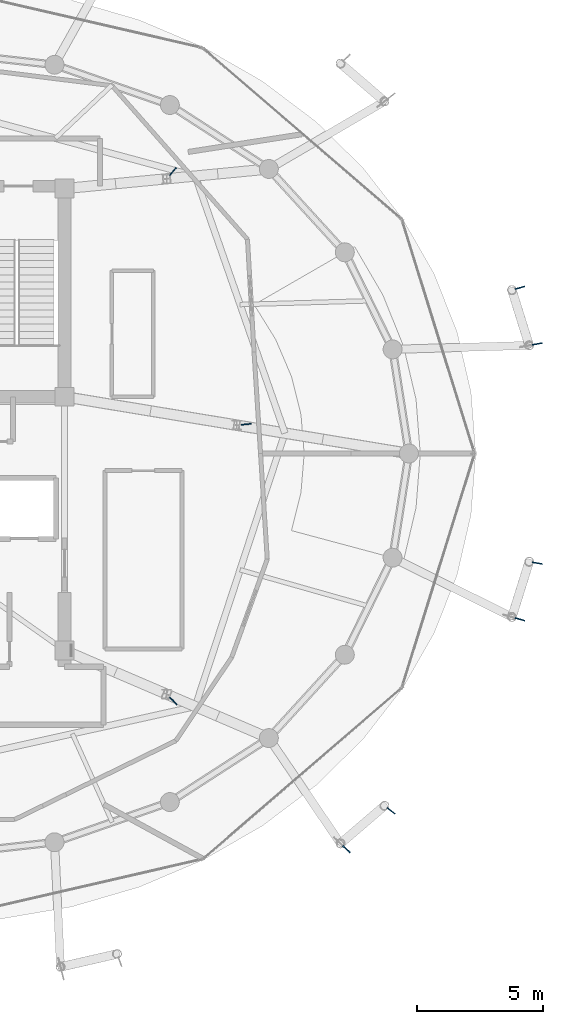
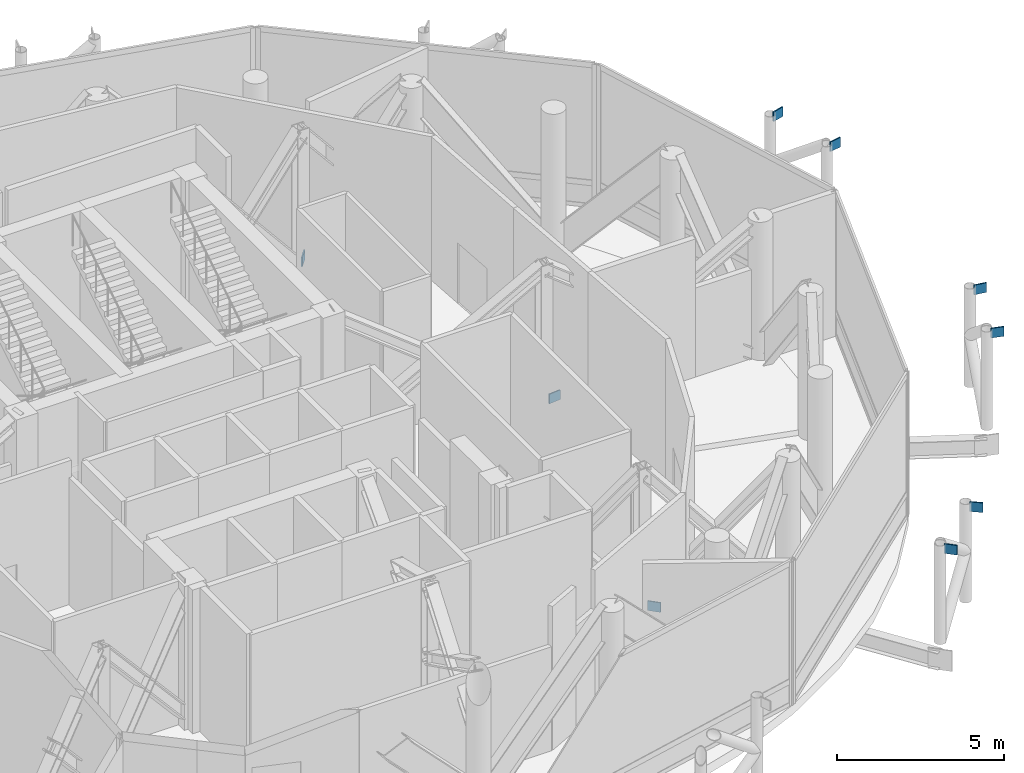
# One storey, part 23 of 26: 9 discrete accessories.
"""IFC4 building model written with IfcOpenShell, lengths in metres."""

import ifcopenshell
import ifcopenshell.guid

model = None  # the IFC model being written
_history = None  # IfcOwnerHistory: only IFC2X3 demands one
_inside = {}  # id of a spatial element -> (the spatial element, [elements in it])
_under = {}  # id of a project, library or spatial element -> (it, [spatial elements below it])
_declared = {}  # id of a project -> (the project, [libraries it declares])
_typed = {}  # id of a type object -> (the type object, [elements of that type])
_made_of = {}  # id of a material, layer set ... -> (it, [elements and type objects made of it])


def new_model(schema):
    """Start an empty IFC model of exactly this schema.

    Asked for "IFC4X3", IfcOpenShell would pick the latest addendum, in which some entities
    have other attributes; the version numbers below select the first issue.
    IFC2X3 requires an IfcOwnerHistory on every rooted entity: one is made here for all.
    """
    global model, _history
    if schema == "IFC4X3":
        model = ifcopenshell.file(schema_version=(4, 3, 0, 0))
    else:
        model = ifcopenshell.file(schema=schema)
    _inside.clear()
    _under.clear()
    _declared.clear()
    _typed.clear()
    _made_of.clear()
    _history = None
    if model.schema == "IFC2X3":
        org = make("IfcOrganization", Name="unknown")
        user = make(
            "IfcPersonAndOrganization",
            ThePerson=make("IfcPerson", FamilyName="unknown"),
            TheOrganization=org,
        )
        app = make(
            "IfcApplication",
            ApplicationDeveloper=org,
            Version="unknown",
            ApplicationFullName="unknown",
            ApplicationIdentifier="unknown",
        )
        _history = make(
            "IfcOwnerHistory",
            OwningUser=user,
            OwningApplication=app,
            ChangeAction="ADDED",
            CreationDate=0,
        )
    return model


def make(cls, **values):
    """One entity of the class cls with the attributes given. An attribute that is None is left unset."""
    return model.create_entity(
        cls, **{name: value for name, value in values.items() if value is not None}
    )


def rooted(cls, **values):
    """An entity with a GlobalId (a new one), such as an element, a storey or a relation."""
    return make(cls, GlobalId=ifcopenshell.guid.new(), OwnerHistory=_history, **values)


def si_unit(unit_type, name, prefix=None):
    """IfcSIUnit, for example si_unit("LENGTHUNIT", "METRE", prefix="MILLI")."""
    return make("IfcSIUnit", UnitType=unit_type, Prefix=prefix, Name=name)


def assignment(units):
    """IfcUnitAssignment: the units of a project."""
    return None if units is None else make("IfcUnitAssignment", Units=units)


def point(xyz):
    """IfcCartesianPoint."""
    return None if xyz is None else make("IfcCartesianPoint", Coordinates=xyz)


def direction(xyz):
    """IfcDirection."""
    return None if xyz is None else make("IfcDirection", DirectionRatios=xyz)


def frame(location, z_axis=None, x_axis=None):
    """IfcAxis2Placement3D, a coordinate frame: its origin and axes. An axis left out is left unset."""
    return make(
        "IfcAxis2Placement3D",
        Location=point(location),
        Axis=direction(z_axis),
        RefDirection=direction(x_axis),
    )


def frame_2d(location, x_axis=None):
    """IfcAxis2Placement2D, a coordinate frame in the plane: its origin and x axis."""
    return make(
        "IfcAxis2Placement2D", Location=point(location), RefDirection=direction(x_axis)
    )


def origin():
    """The frame at (0, 0, 0) with its axes left unset."""
    return frame((0.0, 0.0, 0.0))


def origin_2d():
    """The frame at (0, 0) in the plane with its x axis left unset."""
    return frame_2d((0.0, 0.0))


def place(relative_to, where):
    """IfcLocalPlacement: puts the frame where relative to a parent placement (None: the world)."""
    return make(
        "IfcLocalPlacement", PlacementRelTo=relative_to, RelativePlacement=where
    )


def context(
    kind, dimensions, precision=None, world=None, true_north=None, identifier=None
):
    """IfcGeometricRepresentationContext, for example the 3D "Model" context."""
    return make(
        "IfcGeometricRepresentationContext",
        ContextIdentifier=identifier,
        ContextType=kind,
        CoordinateSpaceDimension=dimensions,
        Precision=precision,
        WorldCoordinateSystem=world,
        TrueNorth=true_north,
    )


def subcontext(parent, identifier, kind, view, scale=None):
    """IfcGeometricRepresentationSubContext, for example "Body" below "Model"."""
    return make(
        "IfcGeometricRepresentationSubContext",
        ContextIdentifier=identifier,
        ContextType=kind,
        ParentContext=parent,
        TargetScale=scale,
        TargetView=view,
    )


def project(units=None, contexts=None):
    """IfcProject with its units and contexts."""
    return rooted(
        "IfcProject",
        Name="project",
        RepresentationContexts=contexts,
        UnitsInContext=assignment(units),
    )


def spatial(cls, under=None, at=None, **own):
    """A site, building, storey or space (cls), placed at a placement, below another one or the project."""
    s = rooted(cls, ObjectPlacement=at, **own)
    if under is not None:
        _under.setdefault(under.id(), (under, []))[1].append(s)
    return s


def profile(cls, at=None, kind="AREA", **sizes):
    """A parametric profile (cls). Its sizes go by their IFC names, for example OverallWidth=200.0."""
    return make(cls, ProfileType=kind, Position=at, **sizes)


def rectangle(**sizes):
    """IfcRectangleProfileDef."""
    return profile("IfcRectangleProfileDef", **sizes)


def extrude(swept, where, along, depth):
    """IfcExtrudedAreaSolid: the profile swept, set in the frame where, extruded along a direction by depth."""
    return make(
        "IfcExtrudedAreaSolid",
        SweptArea=swept,
        Position=where,
        ExtrudedDirection=direction(along),
        Depth=depth,
    )


def shape(context_of_items, identifier, shape_type, items):
    """IfcShapeRepresentation: the items that make up one representation, for example the "Body"."""
    return make(
        "IfcShapeRepresentation",
        ContextOfItems=context_of_items,
        RepresentationIdentifier=identifier,
        RepresentationType=shape_type,
        Items=items,
    )


def material(Name=None, Category=None):
    """IfcMaterial."""
    return make("IfcMaterial", Name=Name, Category=Category)


def made_of(thing, what):
    """Note that an element or type object is made of a material, layer set ...; save() writes the relation."""
    if what is not None:
        _made_of.setdefault(what.id(), (what, []))[1].append(thing)
    return thing


def type_object(cls, material=None, **own):
    """A type object (cls), such as IfcWallType, which elements share."""
    return made_of(rooted(cls, **own), material)


def element(
    cls,
    number,
    at=None,
    inside=None,
    cuts=None,
    type_object=None,
    material=None,
    context=None,
    identifier="Body",
    shape_type=None,
    held_by="IfcProductDefinitionShape",
    body=None,
    shapes=None,
    **own,
):
    """One element of the class cls, such as IfcWall. Its Tag is "e" and its number.

    at: its placement. inside: the storey or other place that contains it. cuts: it is an
    opening in that element (IfcRelVoidsElement). A single representation is given by context,
    identifier, shape_type and body (its items); several are given by shapes. held_by: the class
    of the entity that holds the representations. save() writes the other relations.
    """
    e = rooted(cls, Tag="e%d" % number, ObjectPlacement=at, **own)
    if body is not None:
        shapes = [shape(context, identifier, shape_type, body)]
    if shapes is not None:
        e.Representation = make(held_by, Representations=shapes)
    if inside is not None:
        _inside.setdefault(inside.id(), (inside, []))[1].append(e)
    if cuts is not None:
        rooted(
            "IfcRelVoidsElement", RelatingBuildingElement=cuts, RelatedOpeningElement=e
        )
    if type_object is not None:
        _typed.setdefault(type_object.id(), (type_object, []))[1].append(e)
    return made_of(e, material)


def aggregate(whole, parts):
    """IfcRelAggregates: a whole, such as a stair, and the parts it consists of."""
    return rooted("IfcRelAggregates", RelatingObject=whole, RelatedObjects=parts)


def save(model, path):
    """Write the relations noted so far, then the file.

    IfcRelAggregates (storeys below a building ...), IfcRelContainedInSpatialStructure (elements
    in a storey), IfcRelDefinesByType, IfcRelAssociatesMaterial and IfcRelDeclares: one each for
    every whole, place, type object, material and project.
    """
    for whole, parts in _under.values():
        aggregate(whole, parts)
    for where, things in _inside.values():
        rooted(
            "IfcRelContainedInSpatialStructure",
            RelatedElements=things,
            RelatingStructure=where,
        )
    for kind, things in _typed.values():
        rooted("IfcRelDefinesByType", RelatedObjects=things, RelatingType=kind)
    for what, things in _made_of.values():
        rooted("IfcRelAssociatesMaterial", RelatedObjects=things, RelatingMaterial=what)
    for by, libraries in _declared.values():
        rooted("IfcRelDeclares", RelatingContext=by, RelatedDefinitions=libraries)
    model.write(path)


model = new_model("IFC4")

# Units and contexts
model_context = context("Model", 3, precision=1e-05, world=origin(), true_north=direction((0.0, 1.0)))
body_context = subcontext(model_context, "Body", "Model", "MODEL_VIEW")
ifc_project = project(units=[si_unit("LENGTHUNIT", "METRE"), si_unit("AREAUNIT", "SQUARE_METRE"), si_unit("VOLUMEUNIT", "CUBIC_METRE"), si_unit("PLANEANGLEUNIT", "RADIAN"), si_unit("MASSUNIT", "GRAM", prefix="KILO")], contexts=[model_context])

# Site, building, storey
site_placement = place(None, origin())
site = spatial("IfcSite", under=ifc_project, at=site_placement, CompositionType="ELEMENT")
building_placement = place(site_placement, origin())
building = spatial("IfcBuilding", under=site, at=building_placement, Name="Nuhasar Tower", CompositionType="ELEMENT")
storey_placement = place(building_placement, frame((0.0, 0.0, 301.199951171875)))
storey = spatial("IfcBuildingStorey", under=building, at=storey_placement, Name="L75", CompositionType="ELEMENT", Elevation=301.199951171875)

# Discrete accessories
ifc_material = material(Name="Steel S460", Category="steel")
discrete_accessory_type = type_object("IfcDiscreteAccessoryType", Name="ACC-GUS-40", PredefinedType="USERDEFINED", material=ifc_material)
for number, where, z_axis, x_axis, name in (
    (1, (63.041015625, 31.14404296875, 3.25), (0.0, 0.0, 1.0), (0.984062430207, 0.177823320895, 0.0), "L75 Exoskeleton Chord Column EC-01A Gusset Plate"),
    (2, (62.34912109375, 33.3701171875, 3.25), (0.0, 0.0, 1.0), (0.962620870405, 0.27085246881, 0.0), "L75 Exoskeleton Chord Column EC-01B Gusset Plate"),
    (3, (55.47705078125, 11.116943359375, 3.25), (0.0, 0.0, 1.0), (0.724352378593, -0.689429932355, 0.0), "L75 Exoskeleton Chord Column EC-11A Gusset Plate"),
    (4, (57.242919921875, 12.64111328125, 3.25), (0.0, 0.0, 1.0), (0.789983825631, -0.613127682657, 0.0), "L75 Exoskeleton Chord Column EC-11B Gusset Plate"),
    (5, (62.34912109375, 20.22998046875, 3.25), (0.0, 0.0, 1.0), (0.962620870405, -0.27085246881, 0.0), "L75 Exoskeleton Chord Column EC-12A Gusset Plate"),
    (6, (63.041015625, 22.4560546875, 3.25), (0.0, 0.0, 1.0), (0.984062430207, -0.177823320895, 0.0), "L75 Exoskeleton Chord Column EC-12B Gusset Plate"),
    (7, (48.615966796875, 16.989990234375, 0.0), (0.0, 0.0, 1.0), (0.699999950133, -0.714142891733, 0.0), "L75 Outrigger Truss Post 03 Gusset Plate"),
    (8, (51.5029296875, 27.9599609375, 0.0), (0.0, 0.0, 1.0), (0.995723085862, 0.092387966107, 0.0), "L75 Outrigger Truss Post 04 Gusset Plate"),
    (9, (48.597900390625, 37.97705078125, 0.0), (0.0, 0.0, 1.0), (0.651463041935, 0.758680370771, 0.0), "L75 Outrigger Truss Post 05 Gusset Plate"),
):
    element("IfcDiscreteAccessory", number, at=place(storey_placement, frame(where, z_axis=z_axis, x_axis=x_axis)), inside=storey, type_object=discrete_accessory_type, Name=name, ObjectType="STEEL_GUSSET_PLATE", PredefinedType="USERDEFINED", context=body_context, shape_type="SweptSolid", body=[
        extrude(rectangle(XDim=0.39990234375, YDim=0.0400390625, at=origin_2d()), origin(), (0.0, 0.0, 1.0), 0.35009765625),
    ])

save(model, "model.ifc")
